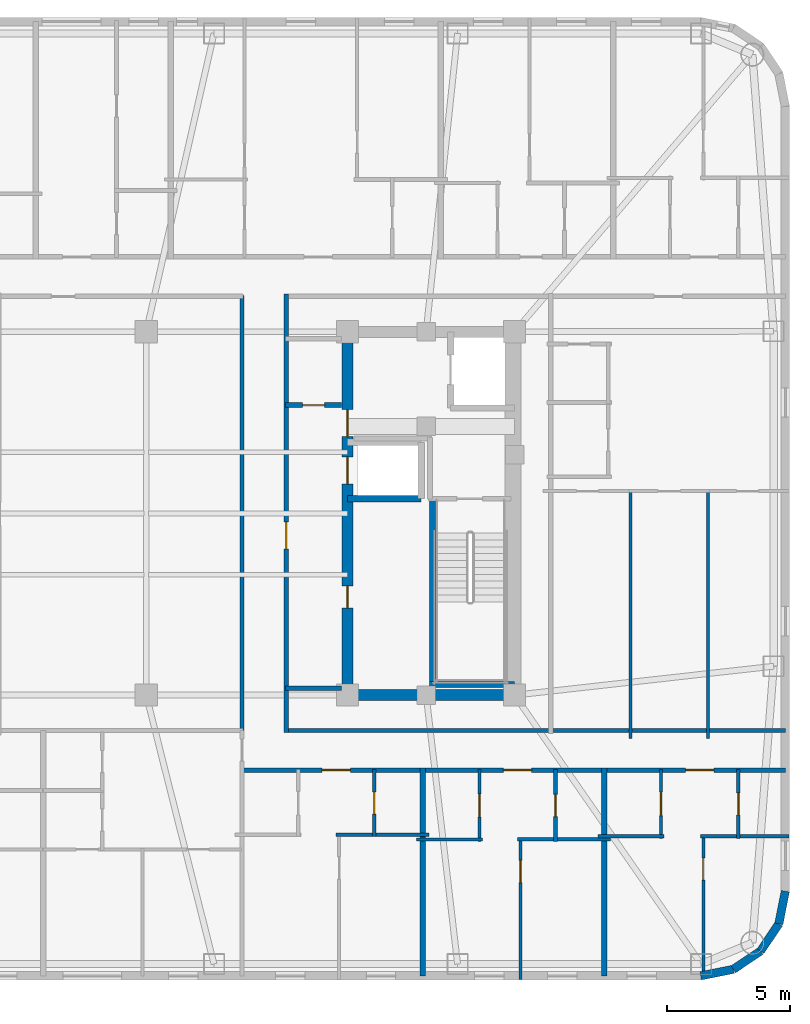
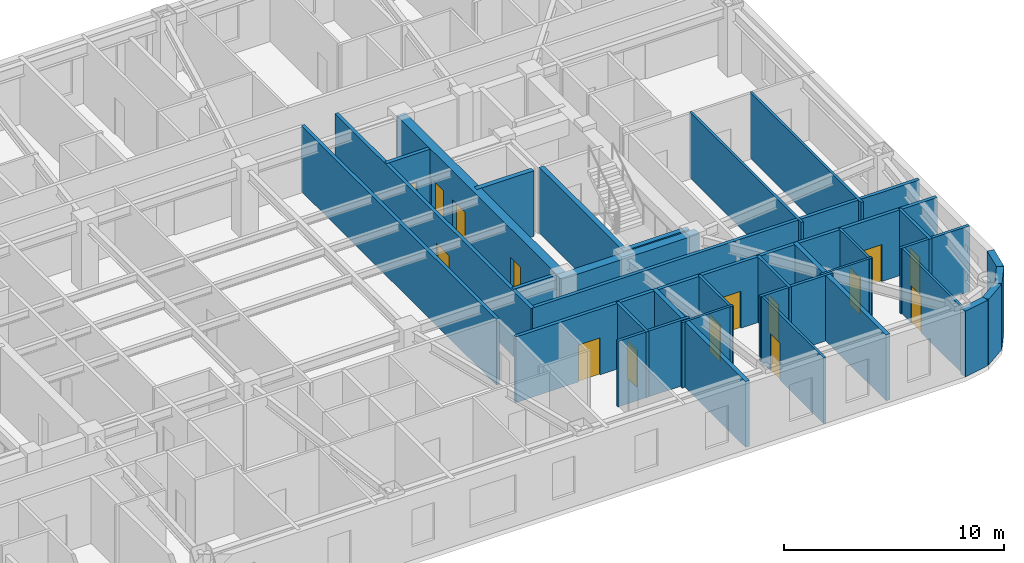
# One storey, part 6 of 11: 31 walls, 15 doors, 15 openings.
"""IFC4 building model written with IfcOpenShell, lengths in metres."""

from ifc_helpers import new_model, si_unit, direction, frame, frame_2d, origin, place, context, subcontext, project, spatial, rectangle, extrude, material, layer, layer_set, type_object, element, fill, save


model = new_model("IFC4")

# Units and contexts
model_context = context("Model", 3, precision=1e-05, world=origin(), true_north=direction((0.0, 1.0)))
body_context = subcontext(model_context, "Body", "Model", "MODEL_VIEW")
ifc_project = project(units=[si_unit("LENGTHUNIT", "METRE"), si_unit("AREAUNIT", "SQUARE_METRE"), si_unit("VOLUMEUNIT", "CUBIC_METRE"), si_unit("PLANEANGLEUNIT", "RADIAN"), si_unit("MASSUNIT", "GRAM", prefix="KILO")], contexts=[model_context])

# Site, building, storey
site_placement = place(None, origin())
site = spatial("IfcSite", under=ifc_project, at=site_placement, CompositionType="ELEMENT")
building_placement = place(site_placement, origin())
building = spatial("IfcBuilding", under=site, at=building_placement, Name="Voryun Gate Residences", CompositionType="ELEMENT")
storey_placement = place(building_placement, frame((0.0, 0.0, 239.199951171875)))
storey = spatial("IfcBuildingStorey", under=building, at=storey_placement, Name="L59", CompositionType="ELEMENT", Elevation=239.199951171875)

# Wall
ifc_material_1 = material(Name="Concrete C50/60", Category="concrete")
ifc_layer_1 = layer(ifc_material_1, 0.449951171875, Name="CW_CORE_450")
ifc_layer_set_1 = layer_set([ifc_layer_1], Name="Concrete C50/60")
wall_type_1 = type_object("IfcWallType", Name="CW_CORE_450", PredefinedType="SHEAR", material=ifc_layer_set_1)
wall_1_placement = place(storey_placement, frame((12.175048828125, -7.39990234375, 0.0), z_axis=(0.0, 0.0, 1.0), x_axis=(1.0, 0.0, 0.0)))
element("IfcWall", 1, at=wall_1_placement, inside=storey, type_object=wall_type_1, Name="L59 Core shear wall CW-L59-ES", PredefinedType="SHEAR", context=body_context, shape_type="SweptSolid", body=[
    extrude(rectangle(XDim=7.25, YDim=0.449951171875, at=frame_2d((3.625, 0.0))), origin(), (0.0, 0.0, 1.0), 3.650146484375),
])

# Wall, openings, doors
wall_2_placement = place(storey_placement, frame((12.39990234375, -7.39990234375, 0.0), z_axis=(0.0, 0.0, 1.0), x_axis=(0.0, 1.0, 0.0)))
wall_2 = element("IfcWall", 2, at=wall_2_placement, inside=storey, type_object=wall_type_1, Name="L59 Core shear wall CW-L59-EW", PredefinedType="SHEAR", context=body_context, shape_type="SweptSolid", body=[
    extrude(rectangle(XDim=14.7998046875, YDim=0.449951171875, at=frame_2d((7.39990234375, 0.0))), origin(), (0.0, 0.0, 1.0), 3.650146484375),
])
opening_1_placement = place(wall_2_placement, frame((8.60009765625, 0.0, 0.0)))
opening_1 = element("IfcOpeningElement", 3, at=opening_1_placement, cuts=wall_2, Name="Opening LD2", PredefinedType="OPENING", context=body_context, shape_type="SweptSolid", body=[
    extrude(rectangle(XDim=1.10009765625, YDim=2.050048828125, at=frame_2d((0.550048828125, 1.02490234375))), frame((0.0, 0.235107421875, 0.0), z_axis=(0.0, -1.0, 0.0), x_axis=(1.0, 0.0, 0.0)), (0.0, 0.0, 1.0), 0.469970703125),
])
opening_2_placement = place(wall_2_placement, frame((10.530029296875, 0.0, 0.0)))
opening_2 = element("IfcOpeningElement", 4, at=opening_2_placement, cuts=wall_2, Name="Opening D-FD60-2", PredefinedType="OPENING", context=body_context, shape_type="SweptSolid", body=[
    extrude(rectangle(XDim=1.10009765625, YDim=2.050048828125, at=frame_2d((0.550048828125, 1.02490234375))), frame((0.0, 0.235107421875, 0.0), z_axis=(0.0, -1.0, 0.0), x_axis=(1.0, 0.0, 0.0)), (0.0, 0.0, 1.0), 0.469970703125),
])
opening_3_placement = place(wall_2_placement, frame((3.550048828125, 0.0, 0.0)))
opening_3 = element("IfcOpeningElement", 5, at=opening_3_placement, cuts=wall_2, Name="Opening D-FD60-4", PredefinedType="OPENING", context=body_context, shape_type="SweptSolid", body=[
    extrude(rectangle(XDim=0.89990234375, YDim=2.050048828125, at=frame_2d((0.449951171875, 1.02490234375))), frame((0.0, 0.235107421875, 0.0), z_axis=(0.0, -1.0, 0.0), x_axis=(1.0, 0.0, 0.0)), (0.0, 0.0, 1.0), 0.469970703125),
])
ifc_material_2 = material(Name="Painted steel fire door", Category="steel")
door_type_1 = type_object("IfcDoorType", Name="DR_FD60_FFLOB_1100", OperationType="NOTDEFINED", PredefinedType="DOOR", material=ifc_material_2)
door_1_placement = place(opening_2_placement, origin())
door_1 = element("IfcDoor", 6, at=door_1_placement, inside=storey, type_object=door_type_1, Name="Door DR-L59-CLOB-E", OperationType="SINGLE_SWING_RIGHT", OverallHeight=2.050048828125, OverallWidth=1.10009765625, PredefinedType="DOOR", context=body_context, shape_type="SweptSolid", body=[
    extrude(rectangle(XDim=1.10009765625, YDim=2.050048828125, at=frame_2d((0.550048828125, 1.02490234375))), frame((0.0, 0.02490234375, 0.0), z_axis=(0.0, -1.0, 0.0), x_axis=(1.0, 0.0, 0.0)), (0.0, 0.0, 1.0), 0.050048828125),
])
fill(opening_2, door_1)
ifc_material_3 = material(Name="Painted steel fire door", Category="steel")
door_type_2 = type_object("IfcDoorType", Name="DR_FD60_RISER_900", OperationType="NOTDEFINED", PredefinedType="DOOR", material=ifc_material_3)
door_2_placement = place(opening_3_placement, origin())
door_2 = element("IfcDoor", 7, at=door_2_placement, inside=storey, type_object=door_type_2, Name="Door DR-L59-RECE-HI", OperationType="SINGLE_SWING_RIGHT", OverallHeight=2.050048828125, OverallWidth=0.89990234375, PredefinedType="DOOR", context=body_context, shape_type="SweptSolid", body=[
    extrude(rectangle(XDim=0.89990234375, YDim=2.050048828125, at=frame_2d((0.449951171875, 1.02490234375))), frame((0.0, 0.02490234375, 0.0), z_axis=(0.0, -1.0, 0.0), x_axis=(1.0, 0.0, 0.0)), (0.0, 0.0, 1.0), 0.050048828125),
])
fill(opening_3, door_2)
ifc_material_4 = material(Name="Anodised aluminium", Category="aluminium")
door_type_3 = type_object("IfcDoorType", Name="DR_LD_PASS_1100", OperationType="NOTDEFINED", PredefinedType="DOOR", material=ifc_material_4)
door_3_placement = place(opening_1_placement, origin())
door_3 = element("IfcDoor", 8, at=door_3_placement, inside=storey, type_object=door_type_3, Name="Lift EL-P8 sliding landing door L59", OperationType="SLIDING_TO_LEFT", OverallHeight=2.050048828125, OverallWidth=1.10009765625, PredefinedType="DOOR", context=body_context, shape_type="SweptSolid", body=[
    extrude(rectangle(XDim=1.10009765625, YDim=2.050048828125, at=frame_2d((0.550048828125, 1.02490234375))), frame((0.0, 0.02490234375, 0.0), z_axis=(0.0, -1.0, 0.0), x_axis=(1.0, 0.0, 0.0)), (0.0, 0.0, 1.0), 0.050048828125),
])
fill(opening_1, door_3)

# Wall
ifc_material_5 = material(Name="Gypsum acoustic fireboard")
ifc_layer_2 = layer(ifc_material_5, 0.179931640625, Name="W_CORR_RATED_180")
ifc_layer_set_2 = layer_set([ifc_layer_2], Name="Gypsum acoustic fireboard")
wall_type_2 = type_object("IfcWallType", Name="W_CORR_RATED_180", PredefinedType="PARTITIONING", material=ifc_layer_set_2)
wall_3_placement = place(storey_placement, frame((9.8798828125, -7.1201171875, 0.0), z_axis=(0.0, 0.0, 1.0), x_axis=(1.0, 0.0, 0.0)))
element("IfcWall", 9, at=wall_3_placement, inside=storey, type_object=wall_type_2, Name="Partition wall WP-L59-PLBS-E", PredefinedType="PARTITIONING", context=body_context, shape_type="SweptSolid", body=[
    extrude(rectangle(XDim=2.27001953125, YDim=0.179931640625, at=frame_2d((1.135009765625, 0.0))), origin(), (0.0, 0.0, 1.0), 3.650146484375),
])

# Wall, opening, door
wall_4_placement = place(storey_placement, frame((9.89990234375, -8.929931640625, 0.0), z_axis=(0.0, 0.0, 1.0), x_axis=(0.0, 1.0, 0.0)))
wall_4 = element("IfcWall", 10, at=wall_4_placement, inside=storey, type_object=wall_type_2, Name="Partition wall WP-L59-PLBE-FULL", PredefinedType="PARTITIONING", context=body_context, shape_type="SweptSolid", body=[
    extrude(rectangle(XDim=17.85986328125, YDim=0.179931640625, at=frame_2d((8.929931640625, 0.0))), origin(), (0.0, 0.0, 1.0), 3.650146484375),
])
opening_4_placement = place(wall_4_placement, frame((7.487060546875, 0.0, 0.0)))
opening_4 = element("IfcOpeningElement", 11, at=opening_4_placement, cuts=wall_4, Name="Opening D-FD60-2", PredefinedType="OPENING", context=body_context, shape_type="SweptSolid", body=[
    extrude(rectangle(XDim=1.10009765625, YDim=2.050048828125, at=frame_2d((0.550048828125, 1.02490234375))), frame((0.0, 0.099853515625, 0.0), z_axis=(0.0, -1.0, 0.0), x_axis=(1.0, 0.0, 0.0)), (0.0, 0.0, 1.0), 0.199951171875),
])
door_4_placement = place(opening_4_placement, origin())
door_4 = element("IfcDoor", 12, at=door_4_placement, inside=storey, type_object=door_type_1, Name="Door DR-L59-PLBE-COR", OperationType="SINGLE_SWING_RIGHT", OverallHeight=2.050048828125, OverallWidth=1.10009765625, PredefinedType="DOOR", context=body_context, shape_type="SweptSolid", body=[
    extrude(rectangle(XDim=1.10009765625, YDim=2.050048828125, at=frame_2d((0.550048828125, 1.02490234375))), frame((0.0, 0.02490234375, 0.0), z_axis=(0.0, -1.0, 0.0), x_axis=(1.0, 0.0, 0.0)), (0.0, 0.0, 1.0), 0.050048828125),
])
fill(opening_4, door_4)

# Walls
wall_5_placement = place(storey_placement, frame((9.8798828125, -8.840087890625, 0.0), z_axis=(0.0, 0.0, 1.0), x_axis=(1.0, 0.0, 0.0)))
element("IfcWall", 13, at=wall_5_placement, inside=storey, type_object=wall_type_2, Name="Partition wall WP-L59-CWING-ES", PredefinedType="PARTITIONING", context=body_context, shape_type="SweptSolid", body=[
    extrude(rectangle(XDim=20.35009765625, YDim=0.179931640625, at=frame_2d((10.175048828125, 0.0))), origin(), (0.0, 0.0, 1.0), 3.650146484375),
])
wall_6_placement = place(storey_placement, frame((8.10009765625, -8.8798828125, 0.0), z_axis=(0.0, 0.0, 1.0), x_axis=(0.0, 1.0, 0.0)))
element("IfcWall", 14, at=wall_6_placement, inside=storey, type_object=wall_type_2, Name="Partition wall WP-L59-Z3E", PredefinedType="PARTITIONING", context=body_context, shape_type="SweptSolid", body=[
    extrude(rectangle(XDim=17.759765625, YDim=0.179931640625, at=frame_2d((8.8798828125, 0.0))), origin(), (0.0, 0.0, 1.0), 3.650146484375),
])

# Wall, openings, doors
wall_7_placement = place(storey_placement, frame((8.080078125, -10.449951171875, 0.0), z_axis=(0.0, 0.0, 1.0), x_axis=(1.0, 0.0, 0.0)))
wall_7 = element("IfcWall", 15, at=wall_7_placement, inside=storey, type_object=wall_type_2, Name="Partition wall WP-L59-SCORR-E", PredefinedType="PARTITIONING", context=body_context, shape_type="SweptSolid", body=[
    extrude(rectangle(XDim=22.14990234375, YDim=0.179931640625, at=frame_2d((11.074951171875, 0.0))), origin(), (0.0, 0.0, 1.0), 3.650146484375),
])
opening_5_placement = place(wall_7_placement, frame((3.283447265625, 0.0, 0.0)))
opening_5 = element("IfcOpeningElement", 16, at=opening_5_placement, cuts=wall_7, Name="Opening D-UNIT-1", PredefinedType="OPENING", context=body_context, shape_type="SweptSolid", body=[
    extrude(rectangle(XDim=1.14990234375, YDim=2.050048828125, at=frame_2d((0.574951171875, 1.02490234375))), frame((0.0, 0.099853515625, 0.0), z_axis=(0.0, -1.0, 0.0), x_axis=(1.0, 0.0, 0.0)), (0.0, 0.0, 1.0), 0.199951171875),
])
opening_6_placement = place(wall_7_placement, frame((10.668212890625, 0.0, 0.0)))
opening_6 = element("IfcOpeningElement", 17, at=opening_6_placement, cuts=wall_7, Name="Opening D-UNIT-1", PredefinedType="OPENING", context=body_context, shape_type="SweptSolid", body=[
    extrude(rectangle(XDim=1.14990234375, YDim=2.050048828125, at=frame_2d((0.574951171875, 1.02490234375))), frame((0.0, 0.099853515625, 0.0), z_axis=(0.0, -1.0, 0.0), x_axis=(1.0, 0.0, 0.0)), (0.0, 0.0, 1.0), 0.199951171875),
])
opening_7_placement = place(wall_7_placement, frame((18.084228515625, 0.0, 0.0)))
opening_7 = element("IfcOpeningElement", 18, at=opening_7_placement, cuts=wall_7, Name="Opening D-UNIT-1", PredefinedType="OPENING", context=body_context, shape_type="SweptSolid", body=[
    extrude(rectangle(XDim=1.14990234375, YDim=2.050048828125, at=frame_2d((0.574951171875, 1.02490234375))), frame((0.0, 0.099853515625, 0.0), z_axis=(0.0, -1.0, 0.0), x_axis=(1.0, 0.0, 0.0)), (0.0, 0.0, 1.0), 0.199951171875),
])
ifc_material_6 = material(Name="Armoured timber-clad fire door", Category="wood")
door_type_4 = type_object("IfcDoorType", Name="DR_UNIT_ENTRY_1150", OperationType="NOTDEFINED", PredefinedType="DOOR", material=ifc_material_6)
door_5_placement = place(opening_5_placement, origin())
door_5 = element("IfcDoor", 19, at=door_5_placement, inside=storey, type_object=door_type_4, Name="Door DR-L59-SENT-5", OperationType="SINGLE_SWING_RIGHT", OverallHeight=2.050048828125, OverallWidth=1.14990234375, PredefinedType="DOOR", context=body_context, shape_type="SweptSolid", body=[
    extrude(rectangle(XDim=1.14990234375, YDim=2.050048828125, at=frame_2d((0.574951171875, 1.02490234375))), frame((0.0, 0.02490234375, 0.0), z_axis=(0.0, -1.0, 0.0), x_axis=(1.0, 0.0, 0.0)), (0.0, 0.0, 1.0), 0.050048828125),
])
fill(opening_5, door_5)
door_6_placement = place(opening_6_placement, origin())
door_6 = element("IfcDoor", 20, at=door_6_placement, inside=storey, type_object=door_type_4, Name="Door DR-L59-SENT-6", OperationType="SINGLE_SWING_LEFT", OverallHeight=2.050048828125, OverallWidth=1.14990234375, PredefinedType="DOOR", context=body_context, shape_type="SweptSolid", body=[
    extrude(rectangle(XDim=1.14990234375, YDim=2.050048828125, at=frame_2d((0.574951171875, 1.02490234375))), frame((0.0, 0.02490234375, 0.0), z_axis=(0.0, -1.0, 0.0), x_axis=(1.0, 0.0, 0.0)), (0.0, 0.0, 1.0), 0.050048828125),
])
fill(opening_6, door_6)
door_7_placement = place(opening_7_placement, origin())
door_7 = element("IfcDoor", 21, at=door_7_placement, inside=storey, type_object=door_type_4, Name="Door DR-L59-SENT-7", OperationType="SINGLE_SWING_RIGHT", OverallHeight=2.050048828125, OverallWidth=1.14990234375, PredefinedType="DOOR", context=body_context, shape_type="SweptSolid", body=[
    extrude(rectangle(XDim=1.14990234375, YDim=2.050048828125, at=frame_2d((0.574951171875, 1.02490234375))), frame((0.0, 0.02490234375, 0.0), z_axis=(0.0, -1.0, 0.0), x_axis=(1.0, 0.0, 0.0)), (0.0, 0.0, 1.0), 0.050048828125),
])
fill(opening_7, door_7)

# Walls
ifc_material_7 = material(Name="Charcoal terracotta masonry", Category="masonry")
ifc_layer_3 = layer(ifc_material_7, 0.340087890625, Name="W_EXT_TERRACOTTA_340")
ifc_layer_set_3 = layer_set([ifc_layer_3], Name="Charcoal terracotta masonry")
wall_type_3 = type_object("IfcWallType", Name="W_EXT_TERRACOTTA_340", PredefinedType="ELEMENTEDWALL", material=ifc_layer_set_3)
wall_8_placement = place(storey_placement, frame((30.22998046875, -15.38330078125, 0.0), z_axis=(0.0, 0.0, 1.0), x_axis=(-0.195110379894, -0.98078129043, 0.0)))
element("IfcWall", 22, at=wall_8_placement, inside=storey, type_object=wall_type_3, Name="Exterior wall WEXT-L59-17", PredefinedType="ELEMENTEDWALL", context=body_context, shape_type="SweptSolid", body=[
    extrude(rectangle(XDim=1.35400390625, YDim=0.340087890625, at=frame_2d((0.677001953125, 0.0))), origin(), (0.0, 0.0, 1.0), 3.650146484375),
])
wall_9_placement = place(storey_placement, frame((29.9658203125, -16.711181640625, 0.0), z_axis=(0.0, 0.0, 1.0), x_axis=(-0.555584683399, -0.831459956686, 0.0)))
element("IfcWall", 23, at=wall_9_placement, inside=storey, type_object=wall_type_3, Name="Exterior wall WEXT-L59-18", PredefinedType="ELEMENTEDWALL", context=body_context, shape_type="SweptSolid", body=[
    extrude(rectangle(XDim=1.337158203125, YDim=0.340087890625, at=frame_2d((0.66845703125, 0.0))), origin(), (0.0, 0.0, 1.0), 3.650146484375),
])
wall_10_placement = place(storey_placement, frame((29.222900390625, -17.822998046875, 0.0), z_axis=(0.0, 0.0, 1.0), x_axis=(-0.831403586725, -0.555669034571, 0.0)))
element("IfcWall", 24, at=wall_10_placement, inside=storey, type_object=wall_type_3, Name="Exterior wall WEXT-L59-19", PredefinedType="ELEMENTEDWALL", context=body_context, shape_type="SweptSolid", body=[
    extrude(rectangle(XDim=1.3369140625, YDim=0.340087890625, at=frame_2d((0.66845703125, 0.0))), origin(), (0.0, 0.0, 1.0), 3.650146484375),
])
wall_11_placement = place(storey_placement, frame((28.111328125, -18.56591796875, 0.0), z_axis=(0.0, 0.0, 1.0), x_axis=(-0.980788153188, -0.195075878998, 0.0)))
element("IfcWall", 25, at=wall_11_placement, inside=storey, type_object=wall_type_3, Name="Exterior wall WEXT-L59-20", PredefinedType="ELEMENTEDWALL", context=body_context, shape_type="SweptSolid", body=[
    extrude(rectangle(XDim=1.354248046875, YDim=0.340087890625, at=frame_2d((0.67724609375, 0.0))), origin(), (0.0, 0.0, 1.0), 3.650146484375),
])

# Wall, opening, door
ifc_material_8 = material(Name="Concrete C40/50", Category="concrete")
ifc_layer_4 = layer(ifc_material_8, 0.199951171875, Name="W_FF_LOBBY_200")
ifc_layer_set_4 = layer_set([ifc_layer_4], Name="Concrete C40/50")
wall_type_4 = type_object("IfcWallType", Name="W_FF_LOBBY_200", PredefinedType="PARTITIONING", material=ifc_layer_set_4)
wall_12_placement = place(storey_placement, frame((9.8798828125, 4.409912109375, 0.0), z_axis=(0.0, 0.0, 1.0), x_axis=(1.0, 0.0, 0.0)))
wall_12 = element("IfcWall", 26, at=wall_12_placement, inside=storey, type_object=wall_type_4, Name="Partition wall WP-L59-CSFLKS-E", PredefinedType="PARTITIONING", context=body_context, shape_type="SweptSolid", body=[
    extrude(rectangle(XDim=2.27001953125, YDim=0.199951171875, at=frame_2d((1.135009765625, 0.0))), origin(), (0.0, 0.0, 1.0), 3.650146484375),
])
opening_8_placement = place(wall_12_placement, frame((0.68505859375, 0.0, 0.0)))
opening_8 = element("IfcOpeningElement", 27, at=opening_8_placement, cuts=wall_12, Name="Opening D-FD60-4", PredefinedType="OPENING", context=body_context, shape_type="SweptSolid", body=[
    extrude(rectangle(XDim=0.89990234375, YDim=2.050048828125, at=frame_2d((0.449951171875, 1.02490234375))), frame((0.0, 0.110107421875, 0.0), z_axis=(0.0, -1.0, 0.0), x_axis=(1.0, 0.0, 0.0)), (0.0, 0.0, 1.0), 0.219970703125),
])
door_8_placement = place(opening_8_placement, origin())
door_8 = element("IfcDoor", 28, at=door_8_placement, inside=storey, type_object=door_type_2, Name="Door DR-L59-CSFLK-E", OperationType="SINGLE_SWING_RIGHT", OverallHeight=2.050048828125, OverallWidth=0.89990234375, PredefinedType="DOOR", context=body_context, shape_type="SweptSolid", body=[
    extrude(rectangle(XDim=0.89990234375, YDim=2.050048828125, at=frame_2d((0.449951171875, 1.02490234375))), frame((0.0, 0.02490234375, 0.0), z_axis=(0.0, -1.0, 0.0), x_axis=(1.0, 0.0, 0.0)), (0.0, 0.0, 1.0), 0.050048828125),
])
fill(opening_8, door_8)

# Walls
ifc_material_9 = material(Name="Concrete C40/50", Category="concrete")
ifc_layer_5 = layer(ifc_material_9, 0.219970703125, Name="W_PARTY_ACOUSTIC_220")
ifc_layer_set_5 = layer_set([ifc_layer_5], Name="Concrete C40/50")
wall_type_5 = type_object("IfcWallType", Name="W_PARTY_ACOUSTIC_220", PredefinedType="PARTITIONING", material=ifc_layer_set_5)
for number, where, z_axis, x_axis, name in (
    (29, (15.466064453125, -18.830078125, 0.0), (0.0, 0.0, 1.0), (0.0, 1.0, 0.0), "Partition wall WP-L59-SPTY-5"),
    (30, (22.85107421875, -18.830078125, 0.0), (0.0, 0.0, 1.0), (0.0, 1.0, 0.0), "Partition wall WP-L59-SPTY-6"),
):
    element("IfcWall", number, at=place(storey_placement, frame(where, z_axis=z_axis, x_axis=x_axis)), inside=storey, type_object=wall_type_5, Name=name, PredefinedType="PARTITIONING", context=body_context, shape_type="SweptSolid", body=[
        extrude(rectangle(XDim=8.4599609375, YDim=0.219970703125, at=frame_2d((4.22998046875, 0.0))), origin(), (0.0, 0.0, 1.0), 3.650146484375),
    ])
ifc_material_10 = material(Name="Concrete C50/60", Category="concrete")
ifc_layer_6 = layer(ifc_material_10, 0.25, Name="W_SHAFT_RC250")
ifc_layer_set_6 = layer_set([ifc_layer_6], Name="Concrete C50/60")
wall_type_6 = type_object("IfcWallType", Name="W_SHAFT_RC250", PredefinedType="SOLIDWALL", material=ifc_layer_set_6)
wall_13_placement = place(storey_placement, frame((15.860107421875, -7.0849609375, 0.0), z_axis=(0.0, 0.0, 1.0), x_axis=(0.0, 1.0, 0.0)))
element("IfcWall", 31, at=wall_13_placement, inside=storey, type_object=wall_type_6, Name="L59 Stair shaft structural wall E-STL", PredefinedType="SOLIDWALL", context=body_context, shape_type="SweptSolid", body=[
    extrude(rectangle(XDim=7.68505859375, YDim=0.25, at=frame_2d((3.842529296875, 0.0))), origin(), (0.0, 0.0, 1.0), 3.650146484375),
])
wall_14_placement = place(storey_placement, frame((15.739990234375, -6.965087890625, 0.0), z_axis=(0.0, 0.0, 1.0), x_axis=(1.0, 0.0, 0.0)))
element("IfcWall", 32, at=wall_14_placement, inside=storey, type_object=wall_type_6, Name="L59 Stair shaft structural wall E-STS", PredefinedType="SOLIDWALL", context=body_context, shape_type="SweptSolid", body=[
    extrude(rectangle(XDim=3.4599609375, YDim=0.25, at=frame_2d((1.72998046875, 0.0))), origin(), (0.0, 0.0, 1.0), 3.650146484375),
])
wall_15_placement = place(storey_placement, frame((12.39990234375, 0.60009765625, 0.0), z_axis=(0.0, 0.0, 1.0), x_axis=(1.0, 0.0, 0.0)))
element("IfcWall", 33, at=wall_15_placement, inside=storey, type_object=wall_type_6, Name="Lift shaft wall WSH-L59-EL-P8-S", PredefinedType="SOLIDWALL", context=body_context, shape_type="SweptSolid", body=[
    extrude(rectangle(XDim=3.0, YDim=0.25, at=frame_2d((1.5, 0.0))), origin(), (0.0, 0.0, 1.0), 3.650146484375),
])

# Wall, opening, door
ifc_material_11 = material(Name="Gypsum acoustic partition")
ifc_layer_7 = layer(ifc_material_11, 0.125, Name="W_UNIT_PART_125")
ifc_layer_set_7 = layer_set([ifc_layer_7], Name="Gypsum acoustic partition")
wall_type_7 = type_object("IfcWallType", Name="W_UNIT_PART_125", PredefinedType="PARTITIONING", material=ifc_layer_set_7)
wall_16_placement = place(storey_placement, frame((19.44091796875, -18.97998046875, 0.0), z_axis=(0.0, 0.0, 1.0), x_axis=(0.0, 1.0, 0.0)))
wall_16 = element("IfcWall", 34, at=wall_16_placement, inside=storey, type_object=wall_type_7, Name="Partition wall WP-L59-S6-OVR", PredefinedType="PARTITIONING", context=body_context, shape_type="SweptSolid", body=[
    extrude(rectangle(XDim=5.786865234375, YDim=0.125, at=frame_2d((2.8935546875, 0.0))), origin(), (0.0, 0.0, 1.0), 3.650146484375),
])
opening_9_placement = place(wall_16_placement, frame((3.947998046875, 0.0, 0.0)))
opening_9 = element("IfcOpeningElement", 35, at=opening_9_placement, cuts=wall_16, Name="Opening D-INT-2", PredefinedType="OPENING", context=body_context, shape_type="SweptSolid", body=[
    extrude(rectangle(XDim=0.89990234375, YDim=2.050048828125, at=frame_2d((0.449951171875, 1.02490234375))), frame((0.0, 0.072509765625, 0.0), z_axis=(0.0, -1.0, 0.0), x_axis=(1.0, 0.0, 0.0)), (0.0, 0.0, 1.0), 0.14501953125),
])
ifc_material_12 = material(Name="Architectural oak veneer")
door_type_5 = type_object("IfcDoorType", Name="DR_INT_BATH_900", OperationType="NOTDEFINED", PredefinedType="DOOR", material=ifc_material_12)
door_9_placement = place(opening_9_placement, origin())
door_9 = element("IfcDoor", 36, at=door_9_placement, inside=storey, type_object=door_type_5, Name="Door DR-L59-S6-DMB", OperationType="SINGLE_SWING_RIGHT", OverallHeight=2.050048828125, OverallWidth=0.89990234375, PredefinedType="DOOR", context=body_context, shape_type="SweptSolid", body=[
    extrude(rectangle(XDim=0.89990234375, YDim=2.050048828125, at=frame_2d((0.449951171875, 1.02490234375))), frame((0.0, 0.02490234375, 0.0), z_axis=(0.0, -1.0, 0.0), x_axis=(1.0, 0.0, 0.0)), (0.0, 0.0, 1.0), 0.050048828125),
])
fill(opening_9, door_9)

wall_17_placement = place(storey_placement, frame((17.77587890625, -13.35302734375, 0.0), z_axis=(0.0, 0.0, 1.0), x_axis=(0.0, 1.0, 0.0)))
wall_17 = element("IfcWall", 37, at=wall_17_placement, inside=storey, type_object=wall_type_7, Name="Partition wall WP-L59-S6-IVK", PredefinedType="PARTITIONING", context=body_context, shape_type="SweptSolid", body=[
    extrude(rectangle(XDim=2.923095703125, YDim=0.125, at=frame_2d((1.46142578125, 0.0))), origin(), (0.0, 0.0, 1.0), 3.650146484375),
])
opening_10_placement = place(wall_17_placement, frame((0.986572265625, 0.0, 0.0)))
opening_10 = element("IfcOpeningElement", 38, at=opening_10_placement, cuts=wall_17, Name="Opening D-INT-1", PredefinedType="OPENING", context=body_context, shape_type="SweptSolid", body=[
    extrude(rectangle(XDim=0.949951171875, YDim=2.050048828125, at=frame_2d((0.47509765625, 1.02490234375))), frame((0.0, 0.072509765625, 0.0), z_axis=(0.0, -1.0, 0.0), x_axis=(1.0, 0.0, 0.0)), (0.0, 0.0, 1.0), 0.14501953125),
])
ifc_material_13 = material(Name="Architectural oak veneer")
door_type_6 = type_object("IfcDoorType", Name="DR_INT_ROOM_950", OperationType="NOTDEFINED", PredefinedType="DOOR", material=ifc_material_13)
door_10_placement = place(opening_10_placement, origin())
door_10 = element("IfcDoor", 39, at=door_10_placement, inside=storey, type_object=door_type_6, Name="Door DR-L59-S6-DK", OperationType="SINGLE_SWING_LEFT", OverallHeight=2.050048828125, OverallWidth=0.949951171875, PredefinedType="DOOR", context=body_context, shape_type="SweptSolid", body=[
    extrude(rectangle(XDim=0.949951171875, YDim=2.050048828125, at=frame_2d((0.47509765625, 1.02490234375))), frame((0.0, 0.02490234375, 0.0), z_axis=(0.0, -1.0, 0.0), x_axis=(1.0, 0.0, 0.0)), (0.0, 0.0, 1.0), 0.050048828125),
])
fill(opening_10, door_10)

# Wall
wall_18_placement = place(storey_placement, frame((15.2060546875, -13.27294921875, 0.0), z_axis=(0.0, 0.0, 1.0), x_axis=(1.0, 0.0, 0.0)))
element("IfcWall", 40, at=wall_18_placement, inside=storey, type_object=wall_type_7, Name="Partition wall WP-L59-S6-HZK", PredefinedType="PARTITIONING", context=body_context, shape_type="SweptSolid", body=[
    extrude(rectangle(XDim=2.68994140625, YDim=0.125, at=frame_2d((1.344970703125, 0.0))), origin(), (0.0, 0.0, 1.0), 3.650146484375),
])

# Wall, opening, door
wall_19_placement = place(storey_placement, frame((26.886962890625, -18.96240234375, 0.0), z_axis=(0.0, 0.0, 1.0), x_axis=(0.0, 1.0, 0.0)))
wall_19 = element("IfcWall", 41, at=wall_19_placement, inside=storey, type_object=wall_type_7, Name="Partition wall WP-L59-S7-OVR", PredefinedType="PARTITIONING", context=body_context, shape_type="SweptSolid", body=[
    extrude(rectangle(XDim=5.8955078125, YDim=0.125, at=frame_2d((2.94775390625, 0.0))), origin(), (0.0, 0.0, 1.0), 3.650146484375),
])
opening_11_placement = place(wall_19_placement, frame((4.030517578125, 0.0, 0.0)))
opening_11 = element("IfcOpeningElement", 42, at=opening_11_placement, cuts=wall_19, Name="Opening D-INT-2", PredefinedType="OPENING", context=body_context, shape_type="SweptSolid", body=[
    extrude(rectangle(XDim=0.89990234375, YDim=2.050048828125, at=frame_2d((0.449951171875, 1.02490234375))), frame((0.0, 0.072509765625, 0.0), z_axis=(0.0, -1.0, 0.0), x_axis=(1.0, 0.0, 0.0)), (0.0, 0.0, 1.0), 0.14501953125),
])
door_11_placement = place(opening_11_placement, origin())
door_11 = element("IfcDoor", 43, at=door_11_placement, inside=storey, type_object=door_type_5, Name="Door DR-L59-S7-DMB", OperationType="SINGLE_SWING_RIGHT", OverallHeight=2.050048828125, OverallWidth=0.89990234375, PredefinedType="DOOR", context=body_context, shape_type="SweptSolid", body=[
    extrude(rectangle(XDim=0.89990234375, YDim=2.050048828125, at=frame_2d((0.449951171875, 1.02490234375))), frame((0.0, 0.02490234375, 0.0), z_axis=(0.0, -1.0, 0.0), x_axis=(1.0, 0.0, 0.0)), (0.0, 0.0, 1.0), 0.050048828125),
])
fill(opening_11, door_11)

wall_20_placement = place(storey_placement, frame((25.160888671875, -13.22705078125, 0.0), z_axis=(0.0, 0.0, 1.0), x_axis=(0.0, 1.0, 0.0)))
wall_20 = element("IfcWall", 44, at=wall_20_placement, inside=storey, type_object=wall_type_7, Name="Partition wall WP-L59-S7-IVK", PredefinedType="PARTITIONING", context=body_context, shape_type="SweptSolid", body=[
    extrude(rectangle(XDim=2.797119140625, YDim=0.125, at=frame_2d((1.3984375, 0.0))), origin(), (0.0, 0.0, 1.0), 3.650146484375),
])
opening_12_placement = place(wall_20_placement, frame((0.923583984375, 0.0, 0.0)))
opening_12 = element("IfcOpeningElement", 45, at=opening_12_placement, cuts=wall_20, Name="Opening D-INT-1", PredefinedType="OPENING", context=body_context, shape_type="SweptSolid", body=[
    extrude(rectangle(XDim=0.949951171875, YDim=2.050048828125, at=frame_2d((0.47509765625, 1.02490234375))), frame((0.0, 0.072509765625, 0.0), z_axis=(0.0, -1.0, 0.0), x_axis=(1.0, 0.0, 0.0)), (0.0, 0.0, 1.0), 0.14501953125),
])
door_12_placement = place(opening_12_placement, origin())
door_12 = element("IfcDoor", 46, at=door_12_placement, inside=storey, type_object=door_type_6, Name="Door DR-L59-S7-DK", OperationType="SINGLE_SWING_LEFT", OverallHeight=2.050048828125, OverallWidth=0.949951171875, PredefinedType="DOOR", context=body_context, shape_type="SweptSolid", body=[
    extrude(rectangle(XDim=0.949951171875, YDim=2.050048828125, at=frame_2d((0.47509765625, 1.02490234375))), frame((0.0, 0.02490234375, 0.0), z_axis=(0.0, -1.0, 0.0), x_axis=(1.0, 0.0, 0.0)), (0.0, 0.0, 1.0), 0.050048828125),
])
fill(opening_12, door_12)

# Walls
wall_21_placement = place(storey_placement, frame((22.591064453125, -13.14697265625, 0.0), z_axis=(0.0, 0.0, 1.0), x_axis=(1.0, 0.0, 0.0)))
element("IfcWall", 47, at=wall_21_placement, inside=storey, type_object=wall_type_7, Name="Partition wall WP-L59-S7-HZK", PredefinedType="PARTITIONING", context=body_context, shape_type="SweptSolid", body=[
    extrude(rectangle(XDim=2.68994140625, YDim=0.125, at=frame_2d((1.344970703125, 0.0))), origin(), (0.0, 0.0, 1.0), 3.650146484375),
])
for number, where, z_axis, x_axis, name in (
    (48, (27.080078125, -9.159912109375, 0.0), (0.0, 0.0, 1.0), (0.0, 1.0, 0.0), "Partition wall WP-L59-E1-VMB2"),
    (49, (23.923095703125, -9.159912109375, 0.0), (0.0, 0.0, 1.0), (0.0, 1.0, 0.0), "Partition wall WP-L59-E1-VMB"),
):
    element("IfcWall", number, at=place(storey_placement, frame(where, z_axis=z_axis, x_axis=x_axis)), inside=storey, type_object=wall_type_7, Name=name, PredefinedType="PARTITIONING", context=body_context, shape_type="SweptSolid", body=[
        extrude(rectangle(XDim=10.1298828125, YDim=0.125, at=frame_2d((5.06494140625, 0.0))), origin(), (0.0, 0.0, 1.0), 3.650146484375),
    ])
ifc_material_14 = material(Name="Gypsum moisture-resistant partition")
ifc_layer_8 = layer(ifc_material_14, 0.14990234375, Name="W_WET_PLUMB_150")
ifc_layer_set_8 = layer_set([ifc_layer_8], Name="Gypsum moisture-resistant partition")
wall_type_8 = type_object("IfcWallType", Name="W_WET_PLUMB_150", PredefinedType="PLUMBINGWALL", material=ifc_layer_set_8)
wall_22_placement = place(storey_placement, frame((11.93603515625, -13.0849609375, 0.0), z_axis=(0.0, 0.0, 1.0), x_axis=(1.0, 0.0, 0.0)))
element("IfcWall", 50, at=wall_22_placement, inside=storey, type_object=wall_type_8, Name="Partition wall WP-L59-S5-HZB", PredefinedType="PLUMBINGWALL", context=body_context, shape_type="SweptSolid", body=[
    extrude(rectangle(XDim=3.7900390625, YDim=0.14990234375, at=frame_2d((1.89501953125, 0.0))), origin(), (0.0, 0.0, 1.0), 3.650146484375),
])

# Wall, opening, door
wall_23_placement = place(storey_placement, frame((13.486083984375, -13.1650390625, 0.0), z_axis=(0.0, 0.0, 1.0), x_axis=(0.0, 1.0, 0.0)))
wall_23 = element("IfcWall", 51, at=wall_23_placement, inside=storey, type_object=wall_type_8, Name="Partition wall WP-L59-S5-IVB", PredefinedType="PLUMBINGWALL", context=body_context, shape_type="SweptSolid", body=[
    extrude(rectangle(XDim=2.735107421875, YDim=0.14990234375, at=frame_2d((1.36767578125, 0.0))), origin(), (0.0, 0.0, 1.0), 3.650146484375),
])
opening_13_placement = place(wall_23_placement, frame((0.91748046875, 0.0, 0.0)))
opening_13 = element("IfcOpeningElement", 52, at=opening_13_placement, cuts=wall_23, Name="Opening D-INT-2", PredefinedType="OPENING", context=body_context, shape_type="SweptSolid", body=[
    extrude(rectangle(XDim=0.89990234375, YDim=2.050048828125, at=frame_2d((0.449951171875, 1.02490234375))), frame((0.0, 0.0849609375, 0.0), z_axis=(0.0, -1.0, 0.0), x_axis=(1.0, 0.0, 0.0)), (0.0, 0.0, 1.0), 0.169921875),
])
door_13_placement = place(opening_13_placement, origin())
door_13 = element("IfcDoor", 53, at=door_13_placement, inside=storey, type_object=door_type_5, Name="Door DR-L59-S5-DB", OperationType="SINGLE_SWING_RIGHT", OverallHeight=2.050048828125, OverallWidth=0.89990234375, PredefinedType="DOOR", context=body_context, shape_type="SweptSolid", body=[
    extrude(rectangle(XDim=0.89990234375, YDim=2.050048828125, at=frame_2d((0.449951171875, 1.02490234375))), frame((0.0, 0.02490234375, 0.0), z_axis=(0.0, -1.0, 0.0), x_axis=(1.0, 0.0, 0.0)), (0.0, 0.0, 1.0), 0.050048828125),
])
fill(opening_13, door_13)

# Wall
wall_24_placement = place(storey_placement, frame((19.321044921875, -13.27294921875, 0.0), z_axis=(0.0, 0.0, 1.0), x_axis=(1.0, 0.0, 0.0)))
element("IfcWall", 54, at=wall_24_placement, inside=storey, type_object=wall_type_8, Name="Partition wall WP-L59-S6-HZB", PredefinedType="PLUMBINGWALL", context=body_context, shape_type="SweptSolid", body=[
    extrude(rectangle(XDim=3.7900390625, YDim=0.14990234375, at=frame_2d((1.89501953125, 0.0))), origin(), (0.0, 0.0, 1.0), 3.650146484375),
])

# Wall, opening, door
wall_25_placement = place(storey_placement, frame((20.87109375, -13.35302734375, 0.0), z_axis=(0.0, 0.0, 1.0), x_axis=(0.0, 1.0, 0.0)))
wall_25 = element("IfcWall", 55, at=wall_25_placement, inside=storey, type_object=wall_type_8, Name="Partition wall WP-L59-S6-IVB", PredefinedType="PLUMBINGWALL", context=body_context, shape_type="SweptSolid", body=[
    extrude(rectangle(XDim=2.923095703125, YDim=0.14990234375, at=frame_2d((1.46142578125, 0.0))), origin(), (0.0, 0.0, 1.0), 3.650146484375),
])
opening_14_placement = place(wall_25_placement, frame((1.011474609375, 0.0, 0.0)))
opening_14 = element("IfcOpeningElement", 56, at=opening_14_placement, cuts=wall_25, Name="Opening D-INT-2", PredefinedType="OPENING", context=body_context, shape_type="SweptSolid", body=[
    extrude(rectangle(XDim=0.89990234375, YDim=2.050048828125, at=frame_2d((0.449951171875, 1.02490234375))), frame((0.0, 0.0849609375, 0.0), z_axis=(0.0, -1.0, 0.0), x_axis=(1.0, 0.0, 0.0)), (0.0, 0.0, 1.0), 0.169921875),
])
door_14_placement = place(opening_14_placement, origin())
door_14 = element("IfcDoor", 57, at=door_14_placement, inside=storey, type_object=door_type_5, Name="Door DR-L59-S6-DB", OperationType="SINGLE_SWING_RIGHT", OverallHeight=2.050048828125, OverallWidth=0.89990234375, PredefinedType="DOOR", context=body_context, shape_type="SweptSolid", body=[
    extrude(rectangle(XDim=0.89990234375, YDim=2.050048828125, at=frame_2d((0.449951171875, 1.02490234375))), frame((0.0, 0.02490234375, 0.0), z_axis=(0.0, -1.0, 0.0), x_axis=(1.0, 0.0, 0.0)), (0.0, 0.0, 1.0), 0.050048828125),
])
fill(opening_14, door_14)

# Wall
wall_26_placement = place(storey_placement, frame((26.76708984375, -13.14697265625, 0.0), z_axis=(0.0, 0.0, 1.0), x_axis=(1.0, 0.0, 0.0)))
element("IfcWall", 58, at=wall_26_placement, inside=storey, type_object=wall_type_8, Name="Partition wall WP-L59-S7-HZB", PredefinedType="PLUMBINGWALL", context=body_context, shape_type="SweptSolid", body=[
    extrude(rectangle(XDim=3.61279296875, YDim=0.14990234375, at=frame_2d((1.806396484375, 0.0))), origin(), (0.0, 0.0, 1.0), 3.650146484375),
])

# Wall, opening, door
wall_27_placement = place(storey_placement, frame((28.31689453125, -13.22705078125, 0.0), z_axis=(0.0, 0.0, 1.0), x_axis=(0.0, 1.0, 0.0)))
wall_27 = element("IfcWall", 59, at=wall_27_placement, inside=storey, type_object=wall_type_8, Name="Partition wall WP-L59-S7-IVB", PredefinedType="PLUMBINGWALL", context=body_context, shape_type="SweptSolid", body=[
    extrude(rectangle(XDim=2.797119140625, YDim=0.14990234375, at=frame_2d((1.3984375, 0.0))), origin(), (0.0, 0.0, 1.0), 3.650146484375),
])
opening_15_placement = place(wall_27_placement, frame((0.948486328125, 0.0, 0.0)))
opening_15 = element("IfcOpeningElement", 60, at=opening_15_placement, cuts=wall_27, Name="Opening D-INT-2", PredefinedType="OPENING", context=body_context, shape_type="SweptSolid", body=[
    extrude(rectangle(XDim=0.89990234375, YDim=2.050048828125, at=frame_2d((0.449951171875, 1.02490234375))), frame((0.0, 0.0849609375, 0.0), z_axis=(0.0, -1.0, 0.0), x_axis=(1.0, 0.0, 0.0)), (0.0, 0.0, 1.0), 0.169921875),
])
door_15_placement = place(opening_15_placement, origin())
door_15 = element("IfcDoor", 61, at=door_15_placement, inside=storey, type_object=door_type_5, Name="Door DR-L59-S7-DB", OperationType="SINGLE_SWING_RIGHT", OverallHeight=2.050048828125, OverallWidth=0.89990234375, PredefinedType="DOOR", context=body_context, shape_type="SweptSolid", body=[
    extrude(rectangle(XDim=0.89990234375, YDim=2.050048828125, at=frame_2d((0.449951171875, 1.02490234375))), frame((0.0, 0.02490234375, 0.0), z_axis=(0.0, -1.0, 0.0), x_axis=(1.0, 0.0, 0.0)), (0.0, 0.0, 1.0), 0.050048828125),
])
fill(opening_15, door_15)

save(model, "model.ifc")
